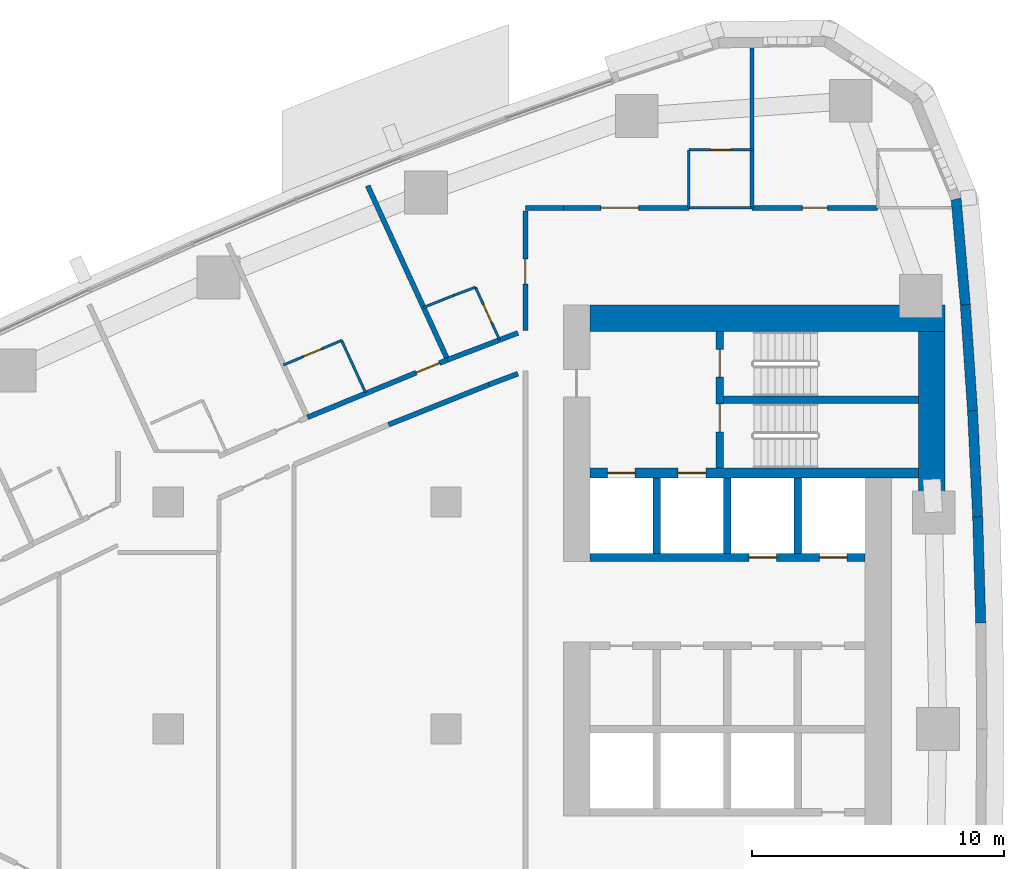
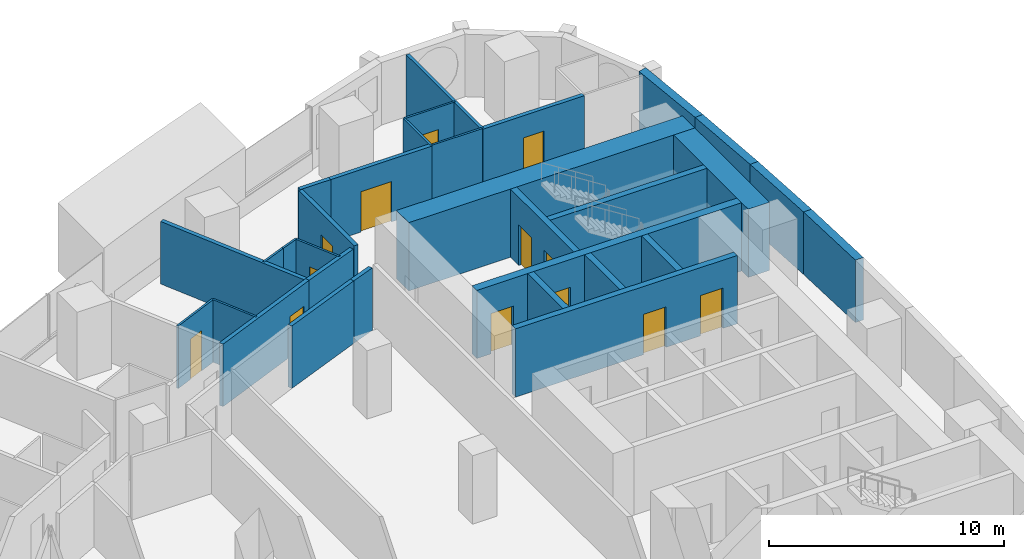
# One storey, part 12 of 17: 31 walls, 13 doors, 13 openings.
"""IFC4 building model written with IfcOpenShell, lengths in metres."""

from ifc_helpers import new_model, si_unit, direction, frame, frame_2d, origin, place, context, subcontext, project, spatial, polyline, rectangle, outline, extrude, material, layer, layer_set, type_object, element, fill, save


model = new_model("IFC4")

# Units and contexts
model_context = context("Model", 3, precision=1e-05, world=origin(), true_north=direction((0.0, 1.0)))
body_context = subcontext(model_context, "Body", "Model", "MODEL_VIEW")
ifc_project = project(units=[si_unit("LENGTHUNIT", "METRE"), si_unit("AREAUNIT", "SQUARE_METRE"), si_unit("VOLUMEUNIT", "CUBIC_METRE"), si_unit("PLANEANGLEUNIT", "RADIAN"), si_unit("MASSUNIT", "GRAM", prefix="KILO")], contexts=[model_context])

# Site, building, storey
site_placement = place(None, origin())
site = spatial("IfcSite", under=ifc_project, at=site_placement, CompositionType="ELEMENT")
building_placement = place(site_placement, origin())
building = spatial("IfcBuilding", under=site, at=building_placement, Name="Ostrand Prow Hotel Tower", CompositionType="ELEMENT")
storey_placement = place(building_placement, frame((0.0, 0.0, 102.64990234375)))
storey = spatial("IfcBuildingStorey", under=building, at=storey_placement, Name="L24", CompositionType="ELEMENT", Elevation=102.64990234375)

# Walls
ifc_material_1 = material(Name="Concrete C80/95", Category="concrete")
ifc_layer_1 = layer(ifc_material_1, 1.050048828125)
ifc_layer_set_1 = layer_set([ifc_layer_1], Name="Concrete C80/95")
wall_type_1 = type_object("IfcWallType", Name="Core wall 1050 C80/95", PredefinedType="SHEAR", material=ifc_layer_set_1)
wall_1_placement = place(storey_placement, frame((50.699951171875, 16.27490234375, 0.0), z_axis=(0.0, 0.0, 1.0), x_axis=(1.0, 0.0, 0.0)))
element("IfcWall", 1, at=wall_1_placement, inside=storey, type_object=wall_type_1, Name="Core wall CW-N", PredefinedType="SHEAR", context=body_context, shape_type="SweptSolid", body=[
    extrude(rectangle(XDim=14.070068359375, YDim=1.050048828125, at=frame_2d((7.03515625, 0.0))), origin(), (0.0, 0.0, 1.0), 3.550048828125),
])
wall_2_placement = place(storey_placement, frame((64.2451171875, 9.388671875, 0.0), z_axis=(0.0, 0.0, 1.0), x_axis=(0.0, 1.0, 0.0)))
element("IfcWall", 2, at=wall_2_placement, inside=storey, type_object=wall_type_1, Name="Core wall CW-E-N", PredefinedType="SHEAR", context=body_context, shape_type="SweptSolid", body=[
    extrude(rectangle(XDim=6.361328125, YDim=1.050048828125, at=frame_2d((3.1806640625, 0.0))), origin(), (0.0, 0.0, 1.0), 3.550048828125),
])

# Wall, openings, doors
ifc_material_2 = material(Name="Concrete C80/95", Category="concrete")
ifc_layer_2 = layer(ifc_material_2, 0.300048828125)
ifc_layer_set_2 = layer_set([ifc_layer_2], Name="Concrete C80/95")
wall_type_2 = type_object("IfcWallType", Name="Core wall 300 C80/95", PredefinedType="SHEAR", material=ifc_layer_set_2)
wall_3_placement = place(storey_placement, frame((50.699951171875, 6.800048828125, 0.0), z_axis=(0.0, 0.0, 1.0), x_axis=(1.0, 0.0, 0.0)))
wall_3 = element("IfcWall", 3, at=wall_3_placement, inside=storey, type_object=wall_type_2, Name="Core wall PW-L2-N", PredefinedType="SHEAR", context=body_context, shape_type="SweptSolid", body=[
    extrude(rectangle(XDim=10.900146484375, YDim=0.300048828125, at=frame_2d((5.4501953125, 0.0))), origin(), (0.0, 0.0, 1.0), 3.550048828125),
])
opening_1_placement = place(wall_3_placement, frame((6.300048828125, 0.0, 0.0)))
opening_1 = element("IfcOpeningElement", 4, at=opening_1_placement, cuts=wall_3, Name="Opening LD", PredefinedType="OPENING", context=body_context, shape_type="SweptSolid", body=[
    extrude(rectangle(XDim=1.10009765625, YDim=2.10009765625, at=frame_2d((0.550048828125, 1.050048828125))), frame((0.0, 0.159912109375, 0.0), z_axis=(0.0, -1.0, 0.0), x_axis=(1.0, 0.0, 0.0)), (0.0, 0.0, 1.0), 0.320068359375),
])
opening_2_placement = place(wall_3_placement, frame((9.10009765625, 0.0, 0.0)))
opening_2 = element("IfcOpeningElement", 5, at=opening_2_placement, cuts=wall_3, Name="Opening LD", PredefinedType="OPENING", context=body_context, shape_type="SweptSolid", body=[
    extrude(rectangle(XDim=1.10009765625, YDim=2.10009765625, at=frame_2d((0.550048828125, 1.050048828125))), frame((0.0, 0.159912109375, 0.0), z_axis=(0.0, -1.0, 0.0), x_axis=(1.0, 0.0, 0.0)), (0.0, 0.0, 1.0), 0.320068359375),
])
ifc_material_3 = material(Name="Stainless steel door", Category="steel")
door_type_1 = type_object("IfcDoorType", Name="Lift landing door 1100", OperationType="DOUBLE_DOOR_SLIDING", PredefinedType="DOOR", material=ifc_material_3)
door_1_placement = place(opening_1_placement, origin())
door_1 = element("IfcDoor", 6, at=door_1_placement, inside=storey, type_object=door_type_1, Name="LIFT LANDING DOOR", OperationType="DOUBLE_DOOR_SLIDING", OverallHeight=2.10009765625, OverallWidth=1.10009765625, PredefinedType="DOOR", context=body_context, shape_type="SweptSolid", body=[
    extrude(rectangle(XDim=1.10009765625, YDim=2.10009765625, at=frame_2d((0.550048828125, 1.050048828125))), frame((0.0, 0.02490234375, 0.0), z_axis=(0.0, -1.0, 0.0), x_axis=(1.0, 0.0, 0.0)), (0.0, 0.0, 1.0), 0.050048828125),
])
fill(opening_1, door_1)
door_2_placement = place(opening_2_placement, origin())
door_2 = element("IfcDoor", 7, at=door_2_placement, inside=storey, type_object=door_type_1, Name="LIFT LANDING DOOR", OperationType="DOUBLE_DOOR_SLIDING", OverallHeight=2.10009765625, OverallWidth=1.10009765625, PredefinedType="DOOR", context=body_context, shape_type="SweptSolid", body=[
    extrude(rectangle(XDim=1.10009765625, YDim=2.10009765625, at=frame_2d((0.550048828125, 1.050048828125))), frame((0.0, 0.02490234375, 0.0), z_axis=(0.0, -1.0, 0.0), x_axis=(1.0, 0.0, 0.0)), (0.0, 0.0, 1.0), 0.050048828125),
])
fill(opening_2, door_2)

# Walls
for number, where, z_axis, x_axis, name in (
    (8, (53.35009765625, 6.949951171875, 0.0), (0.0, 0.0, 1.0), (0.0, 1.0, 0.0), "Core wall PW-R1-NA"),
    (9, (56.14990234375, 6.949951171875, 0.0), (0.0, 0.0, 1.0), (0.0, 1.0, 0.0), "Core wall PW-R2-NA"),
    (10, (58.949951171875, 6.949951171875, 0.0), (0.0, 0.0, 1.0), (0.0, 1.0, 0.0), "Core wall PW-R3-NA"),
):
    element("IfcWall", number, at=place(storey_placement, frame(where, z_axis=z_axis, x_axis=x_axis)), inside=storey, type_object=wall_type_2, Name=name, PredefinedType="SHEAR", context=body_context, shape_type="SweptSolid", body=[
        extrude(rectangle(XDim=3.0, YDim=0.300048828125, at=frame_2d((1.5, 0.0))), origin(), (0.0, 0.0, 1.0), 3.550048828125),
    ])

# Wall, openings, doors
wall_4_placement = place(storey_placement, frame((55.85009765625, 10.35009765625, 0.0), z_axis=(0.0, 0.0, 1.0), x_axis=(0.0, 1.0, 0.0)))
wall_4 = element("IfcWall", 11, at=wall_4_placement, inside=storey, type_object=wall_type_2, Name="Core wall PW-VN", PredefinedType="SHEAR", context=body_context, shape_type="SweptSolid", body=[
    extrude(rectangle(XDim=5.39990234375, YDim=0.300048828125, at=frame_2d((2.699951171875, 0.0))), origin(), (0.0, 0.0, 1.0), 3.550048828125),
])
opening_3_placement = place(wall_4_placement, frame((1.429931640625, 0.0, 0.0)))
opening_3 = element("IfcOpeningElement", 12, at=opening_3_placement, cuts=wall_4, Name="Opening FD1", PredefinedType="OPENING", context=body_context, shape_type="SweptSolid", body=[
    extrude(rectangle(XDim=1.10009765625, YDim=2.10009765625, at=frame_2d((0.550048828125, 1.050048828125))), frame((0.0, 0.159912109375, 0.0), z_axis=(0.0, -1.0, 0.0), x_axis=(1.0, 0.0, 0.0)), (0.0, 0.0, 1.0), 0.320068359375),
])
opening_4_placement = place(wall_4_placement, frame((3.60009765625, 0.0, 0.0)))
opening_4 = element("IfcOpeningElement", 13, at=opening_4_placement, cuts=wall_4, Name="Opening FD1", PredefinedType="OPENING", context=body_context, shape_type="SweptSolid", body=[
    extrude(rectangle(XDim=1.10009765625, YDim=2.10009765625, at=frame_2d((0.550048828125, 1.050048828125))), frame((0.0, 0.159912109375, 0.0), z_axis=(0.0, -1.0, 0.0), x_axis=(1.0, 0.0, 0.0)), (0.0, 0.0, 1.0), 0.320068359375),
])
ifc_material_4 = material(Name="Steel fire door", Category="steel")
door_type_2 = type_object("IfcDoorType", Name="Fire door 1100 EI120", OperationType="SINGLE_SWING_RIGHT", PredefinedType="DOOR", material=ifc_material_4)
door_3_placement = place(opening_3_placement, origin())
door_3 = element("IfcDoor", 14, at=door_3_placement, inside=storey, type_object=door_type_2, Name="FIRE DOOR", OperationType="SINGLE_SWING_RIGHT", OverallHeight=2.10009765625, OverallWidth=1.10009765625, PredefinedType="DOOR", context=body_context, shape_type="SweptSolid", body=[
    extrude(rectangle(XDim=1.10009765625, YDim=2.10009765625, at=frame_2d((0.550048828125, 1.050048828125))), frame((0.0, 0.02490234375, 0.0), z_axis=(0.0, -1.0, 0.0), x_axis=(1.0, 0.0, 0.0)), (0.0, 0.0, 1.0), 0.050048828125),
])
fill(opening_3, door_3)
door_4_placement = place(opening_4_placement, origin())
door_4 = element("IfcDoor", 15, at=door_4_placement, inside=storey, type_object=door_type_2, Name="FIRE DOOR", OperationType="SINGLE_SWING_RIGHT", OverallHeight=2.10009765625, OverallWidth=1.10009765625, PredefinedType="DOOR", context=body_context, shape_type="SweptSolid", body=[
    extrude(rectangle(XDim=1.10009765625, YDim=2.10009765625, at=frame_2d((0.550048828125, 1.050048828125))), frame((0.0, 0.02490234375, 0.0), z_axis=(0.0, -1.0, 0.0), x_axis=(1.0, 0.0, 0.0)), (0.0, 0.0, 1.0), 0.050048828125),
])
fill(opening_4, door_4)

# Wall
wall_5_placement = place(storey_placement, frame((56.0, 13.050048828125, 0.0), z_axis=(0.0, 0.0, 1.0), x_axis=(1.0, 0.0, 0.0)))
element("IfcWall", 16, at=wall_5_placement, inside=storey, type_object=wall_type_2, Name="Core wall PW-ST13", PredefinedType="SHEAR", context=body_context, shape_type="SweptSolid", body=[
    extrude(rectangle(XDim=7.719970703125, YDim=0.300048828125, at=frame_2d((3.85986328125, 0.0))), origin(), (0.0, 0.0, 1.0), 3.550048828125),
])

# Wall, openings, doors
ifc_material_5 = material(Name="Concrete C80/95", Category="concrete")
ifc_layer_3 = layer(ifc_material_5, 0.39990234375)
ifc_layer_set_3 = layer_set([ifc_layer_3], Name="Concrete C80/95")
wall_type_3 = type_object("IfcWallType", Name="Core wall 400 C80/95", PredefinedType="SHEAR", material=ifc_layer_set_3)
wall_6_placement = place(storey_placement, frame((50.699951171875, 10.14990234375, 0.0), z_axis=(0.0, 0.0, 1.0), x_axis=(1.0, 0.0, 0.0)))
wall_6 = element("IfcWall", 17, at=wall_6_placement, inside=storey, type_object=wall_type_3, Name="Core wall PW-BN", PredefinedType="SHEAR", context=body_context, shape_type="SweptSolid", body=[
    extrude(rectangle(XDim=13.02001953125, YDim=0.39990234375, at=frame_2d((6.510009765625, 0.0))), origin(), (0.0, 0.0, 1.0), 3.550048828125),
])
opening_5_placement = place(wall_6_placement, frame((0.699951171875, 0.0, 0.0)))
opening_5 = element("IfcOpeningElement", 18, at=opening_5_placement, cuts=wall_6, Name="Opening LD", PredefinedType="OPENING", context=body_context, shape_type="SweptSolid", body=[
    extrude(rectangle(XDim=1.10009765625, YDim=2.10009765625, at=frame_2d((0.550048828125, 1.050048828125))), frame((0.0, 0.2099609375, 0.0), z_axis=(0.0, -1.0, 0.0), x_axis=(1.0, 0.0, 0.0)), (0.0, 0.0, 1.0), 0.419921875),
])
opening_6_placement = place(wall_6_placement, frame((3.5, 0.0, 0.0)))
opening_6 = element("IfcOpeningElement", 19, at=opening_6_placement, cuts=wall_6, Name="Opening LD", PredefinedType="OPENING", context=body_context, shape_type="SweptSolid", body=[
    extrude(rectangle(XDim=1.10009765625, YDim=2.10009765625, at=frame_2d((0.550048828125, 1.050048828125))), frame((0.0, 0.2099609375, 0.0), z_axis=(0.0, -1.0, 0.0), x_axis=(1.0, 0.0, 0.0)), (0.0, 0.0, 1.0), 0.419921875),
])
door_5_placement = place(opening_5_placement, origin())
door_5 = element("IfcDoor", 20, at=door_5_placement, inside=storey, type_object=door_type_1, Name="LIFT LANDING DOOR", OperationType="DOUBLE_DOOR_SLIDING", OverallHeight=2.10009765625, OverallWidth=1.10009765625, PredefinedType="DOOR", context=body_context, shape_type="SweptSolid", body=[
    extrude(rectangle(XDim=1.10009765625, YDim=2.10009765625, at=frame_2d((0.550048828125, 1.050048828125))), frame((0.0, 0.02490234375, 0.0), z_axis=(0.0, -1.0, 0.0), x_axis=(1.0, 0.0, 0.0)), (0.0, 0.0, 1.0), 0.050048828125),
])
fill(opening_5, door_5)
door_6_placement = place(opening_6_placement, origin())
door_6 = element("IfcDoor", 21, at=door_6_placement, inside=storey, type_object=door_type_1, Name="LIFT LANDING DOOR", OperationType="DOUBLE_DOOR_SLIDING", OverallHeight=2.10009765625, OverallWidth=1.10009765625, PredefinedType="DOOR", context=body_context, shape_type="SweptSolid", body=[
    extrude(rectangle(XDim=1.10009765625, YDim=2.10009765625, at=frame_2d((0.550048828125, 1.050048828125))), frame((0.0, 0.02490234375, 0.0), z_axis=(0.0, -1.0, 0.0), x_axis=(1.0, 0.0, 0.0)), (0.0, 0.0, 1.0), 0.050048828125),
])
fill(opening_6, door_6)

# Wall
ifc_material_6 = material(Name="Plasterboard partition")
ifc_layer_4 = layer(ifc_material_6, 0.10009765625)
ifc_layer_set_4 = layer_set([ifc_layer_4], Name="Plasterboard partition")
wall_type_4 = type_object("IfcWallType", Name="Partition 100 bathroom wall", PredefinedType="PARTITIONING", material=ifc_layer_set_4)
wall_7_placement = place(storey_placement, frame((54.630615234375, 20.64990234375, 0.0), z_axis=(0.0, 0.0, 1.0), x_axis=(0.0, 1.0, 0.0)))
element("IfcWall", 22, at=wall_7_placement, inside=storey, type_object=wall_type_4, Name="BATHROOM WALL", PredefinedType="PARTITIONING", context=body_context, shape_type="SweptSolid", body=[
    extrude(rectangle(XDim=2.300048828125, YDim=0.10009765625, at=frame_2d((1.14990234375, 0.0))), origin(), (0.0, 0.0, 1.0), 3.25),
])

# Wall, opening, door
wall_8_placement = place(storey_placement, frame((54.630615234375, 22.949951171875, 0.0), z_axis=(0.0, 0.0, 1.0), x_axis=(1.0, 0.0, 0.0)))
wall_8 = element("IfcWall", 23, at=wall_8_placement, inside=storey, type_object=wall_type_4, Name="BATHROOM WALL", PredefinedType="PARTITIONING", context=body_context, shape_type="SweptSolid", body=[
    extrude(rectangle(XDim=2.5, YDim=0.10009765625, at=frame_2d((1.25, 0.0))), origin(), (0.0, 0.0, 1.0), 3.25),
])
opening_7_placement = place(wall_8_placement, frame((0.85009765625, 0.0, 0.0)))
opening_7 = element("IfcOpeningElement", 24, at=opening_7_placement, cuts=wall_8, Name="Opening D2", PredefinedType="OPENING", context=body_context, shape_type="SweptSolid", body=[
    extrude(rectangle(XDim=0.800048828125, YDim=2.10009765625, at=frame_2d((0.39990234375, 1.050048828125))), frame((0.0, 0.06005859375, 0.0), z_axis=(0.0, -1.0, 0.0), x_axis=(1.0, 0.0, 0.0)), (0.0, 0.0, 1.0), 0.1201171875),
])
ifc_material_7 = material(Name="Timber door leaf", Category="wood")
door_type_3 = type_object("IfcDoorType", Name="Bathroom door 800", OperationType="SINGLE_SWING_LEFT", PredefinedType="DOOR", material=ifc_material_7)
door_7_placement = place(opening_7_placement, origin())
door_7 = element("IfcDoor", 25, at=door_7_placement, inside=storey, type_object=door_type_3, Name="DOOR", OperationType="SINGLE_SWING_LEFT", OverallHeight=2.10009765625, OverallWidth=0.800048828125, PredefinedType="DOOR", context=body_context, shape_type="SweptSolid", body=[
    extrude(rectangle(XDim=0.800048828125, YDim=2.10009765625, at=frame_2d((0.39990234375, 1.050048828125))), frame((0.0, 0.02490234375, 0.0), z_axis=(0.0, -1.0, 0.0), x_axis=(1.0, 0.0, 0.0)), (0.0, 0.0, 1.0), 0.050048828125),
])
fill(opening_7, door_7)

wall_9_placement = place(storey_placement, frame((38.5615234375, 14.425537109375, 0.0), z_axis=(0.0, 0.0, 1.0), x_axis=(0.921042675983, 0.38946166566, 0.0)))
wall_9 = element("IfcWall", 26, at=wall_9_placement, inside=storey, type_object=wall_type_4, Name="BATHROOM WALL", PredefinedType="PARTITIONING", context=body_context, shape_type="SweptSolid", body=[
    extrude(rectangle(XDim=2.501220703125, YDim=0.10009765625, at=frame_2d((1.25048828125, 0.0))), origin(), (0.0, 0.0, 1.0), 3.25),
])
opening_8_placement = place(wall_9_placement, frame((0.85009765625, 0.0, 0.0)))
opening_8 = element("IfcOpeningElement", 27, at=opening_8_placement, cuts=wall_9, Name="Opening D2", PredefinedType="OPENING", context=body_context, shape_type="SweptSolid", body=[
    extrude(rectangle(XDim=0.800048828125, YDim=2.10009765625, at=frame_2d((0.39990234375, 1.050048828125))), frame((0.0, 0.06005859375, 0.0), z_axis=(0.0, -1.0, 0.0), x_axis=(1.0, 0.0, 0.0)), (0.0, 0.0, 1.0), 0.1201171875),
])
door_8_placement = place(opening_8_placement, origin())
door_8 = element("IfcDoor", 28, at=door_8_placement, inside=storey, type_object=door_type_3, Name="DOOR", OperationType="SINGLE_SWING_LEFT", OverallHeight=2.10009765625, OverallWidth=0.800048828125, PredefinedType="DOOR", context=body_context, shape_type="SweptSolid", body=[
    extrude(rectangle(XDim=0.800048828125, YDim=2.10009765625, at=frame_2d((0.39990234375, 1.050048828125))), frame((0.0, 0.02490234375, 0.0), z_axis=(0.0, -1.0, 0.0), x_axis=(1.0, 0.0, 0.0)), (0.0, 0.0, 1.0), 0.050048828125),
])
fill(opening_8, door_8)

# Walls
wall_10_placement = place(storey_placement, frame((40.865234375, 15.399658203125, 0.0), z_axis=(0.0, 0.0, 1.0), x_axis=(0.417433204355, -0.908707609686, 0.0)))
element("IfcWall", 29, at=wall_10_placement, inside=storey, type_object=wall_type_4, Name="BATHROOM WALL", PredefinedType="PARTITIONING", context=body_context, shape_type="SweptSolid", body=[
    extrude(rectangle(XDim=2.278076171875, YDim=0.10009765625, at=frame_2d((1.13916015625, 0.0))), origin(), (0.0, 0.0, 1.0), 3.25),
])
wall_11_placement = place(storey_placement, frame((44.115966796875, 16.7080078125, 0.0), z_axis=(0.0, 0.0, 1.0), x_axis=(0.928593389657, 0.371098796393, 0.0)))
element("IfcWall", 30, at=wall_11_placement, inside=storey, type_object=wall_type_4, Name="BATHROOM WALL", PredefinedType="PARTITIONING", context=body_context, shape_type="SweptSolid", body=[
    extrude(rectangle(XDim=1.298095703125, YDim=0.10009765625, at=frame_2d((0.64892578125, 0.0))), origin(), (0.0, 0.0, 1.0), 3.25),
])
wall_12_placement = place(storey_placement, frame((45.3212890625, 17.189697265625, 0.0), z_axis=(0.0, 0.0, 1.0), x_axis=(0.935885332459, 0.352304760808, 0.0)))
element("IfcWall", 31, at=wall_12_placement, inside=storey, type_object=wall_type_4, Name="BATHROOM WALL", PredefinedType="PARTITIONING", context=body_context, shape_type="SweptSolid", body=[
    extrude(rectangle(XDim=0.90576171875, YDim=0.10009765625, at=frame_2d((0.452880859375, 0.0))), origin(), (0.0, 0.0, 1.0), 3.25),
])

# Wall, opening, door
wall_13_placement = place(storey_placement, frame((46.169189453125, 17.5087890625, 0.0), z_axis=(0.0, 0.0, 1.0), x_axis=(0.417409478396, -0.90871850831, 0.0)))
wall_13 = element("IfcWall", 32, at=wall_13_placement, inside=storey, type_object=wall_type_4, Name="BATHROOM WALL", PredefinedType="PARTITIONING", context=body_context, shape_type="SweptSolid", body=[
    extrude(rectangle(XDim=2.282958984375, YDim=0.10009765625, at=frame_2d((1.1416015625, 0.0))), origin(), (0.0, 0.0, 1.0), 3.25),
])
opening_9_placement = place(wall_13_placement, frame((0.75, 0.0, 0.0)))
opening_9 = element("IfcOpeningElement", 33, at=opening_9_placement, cuts=wall_13, Name="Opening D2", PredefinedType="OPENING", context=body_context, shape_type="SweptSolid", body=[
    extrude(rectangle(XDim=0.800048828125, YDim=2.10009765625, at=frame_2d((0.39990234375, 1.050048828125))), frame((0.0, 0.06005859375, 0.0), z_axis=(0.0, -1.0, 0.0), x_axis=(1.0, 0.0, 0.0)), (0.0, 0.0, 1.0), 0.1201171875),
])
door_9_placement = place(opening_9_placement, origin())
door_9 = element("IfcDoor", 34, at=door_9_placement, inside=storey, type_object=door_type_3, Name="DOOR", OperationType="SINGLE_SWING_LEFT", OverallHeight=2.10009765625, OverallWidth=0.800048828125, PredefinedType="DOOR", context=body_context, shape_type="SweptSolid", body=[
    extrude(rectangle(XDim=0.800048828125, YDim=2.10009765625, at=frame_2d((0.39990234375, 1.050048828125))), frame((0.0, 0.02490234375, 0.0), z_axis=(0.0, -1.0, 0.0), x_axis=(1.0, 0.0, 0.0)), (0.0, 0.0, 1.0), 0.050048828125),
])
fill(opening_9, door_9)

# Walls
wall_14_placement = place(storey_placement, frame((57.130615234375, 20.655029296875, 0.0), z_axis=(0.0, 0.0, 1.0), x_axis=(-1.0, 0.0, 0.0)))
element("IfcWall", 35, at=wall_14_placement, inside=storey, type_object=wall_type_4, Name="BATHROOM WALL", PredefinedType="PARTITIONING", context=body_context, shape_type="SweptSolid", body=[
    extrude(rectangle(XDim=2.5, YDim=0.10009765625, at=frame_2d((1.25, 0.0))), origin(), (0.0, 0.0, 1.0), 3.25),
])
ifc_material_8 = material(Name="Plasterboard partition")
ifc_layer_5 = layer(ifc_material_8, 0.14990234375)
ifc_layer_set_5 = layer_set([ifc_layer_5], Name="Plasterboard partition")
wall_type_5 = type_object("IfcWallType", Name="Partition 150 room partition", PredefinedType="PARTITIONING", material=ifc_layer_set_5)
wall_15_placement = place(storey_placement, frame((57.130615234375, 20.64990234375, 0.0), z_axis=(0.0, 0.0, 1.0), x_axis=(0.0, 1.0, 0.0)))
element("IfcWall", 36, at=wall_15_placement, inside=storey, type_object=wall_type_5, Name="ROOM PARTITION", PredefinedType="PARTITIONING", context=body_context, shape_type="SweptSolid", body=[
    extrude(rectangle(XDim=6.3291015625, YDim=0.14990234375, at=frame_2d((3.16455078125, 0.0))), origin(), (0.0, 0.0, 1.0), 3.25),
])

# Wall, opening, door
ifc_material_9 = material(Name="Plasterboard partition")
ifc_layer_6 = layer(ifc_material_9, 0.199951171875)
ifc_layer_set_6 = layer_set([ifc_layer_6], Name="Plasterboard partition")
wall_type_6 = type_object("IfcWallType", Name="Partition 200 corridor wall", PredefinedType="PARTITIONING", material=ifc_layer_set_6)
wall_16_placement = place(storey_placement, frame((45.06884765625, 14.633544921875, 0.0), z_axis=(0.0, 0.0, 1.0), x_axis=(-0.925062421694, -0.379815107611, 0.0)))
wall_16 = element("IfcWall", 37, at=wall_16_placement, inside=storey, type_object=wall_type_6, Name="CORRIDOR WALL", PredefinedType="PARTITIONING", context=body_context, shape_type="SweptSolid", body=[
    extrude(rectangle(XDim=6.0048828125, YDim=0.199951171875, at=frame_2d((3.00244140625, 0.0))), origin(), (0.0, 0.0, 1.0), 3.25),
])
opening_10_placement = place(wall_16_placement, frame((0.35009765625, 0.0, 0.0)))
opening_10 = element("IfcOpeningElement", 38, at=opening_10_placement, cuts=wall_16, Name="Opening D1R", PredefinedType="OPENING", context=body_context, shape_type="SweptSolid", body=[
    extrude(rectangle(XDim=1.0, YDim=2.10009765625, at=frame_2d((0.5, 1.050048828125))), frame((0.0, 0.10986328125, 0.0), z_axis=(0.0, -1.0, 0.0), x_axis=(1.0, 0.0, 0.0)), (0.0, 0.0, 1.0), 0.219970703125),
])
ifc_material_10 = material(Name="Timber door leaf", Category="wood")
door_type_4 = type_object("IfcDoorType", Name="Guest room door 1000 right", OperationType="SINGLE_SWING_RIGHT", PredefinedType="DOOR", material=ifc_material_10)
door_10_placement = place(opening_10_placement, origin())
door_10 = element("IfcDoor", 39, at=door_10_placement, inside=storey, type_object=door_type_4, Name="DOOR", OperationType="SINGLE_SWING_RIGHT", OverallHeight=2.10009765625, OverallWidth=1.0, PredefinedType="DOOR", context=body_context, shape_type="SweptSolid", body=[
    extrude(rectangle(XDim=1.0, YDim=2.10009765625, at=frame_2d((0.5, 1.050048828125))), frame((0.0, 0.02490234375, 0.0), z_axis=(0.0, -1.0, 0.0), x_axis=(1.0, 0.0, 0.0)), (0.0, 0.0, 1.0), 0.050048828125),
])
fill(opening_10, door_10)

# Wall
wall_17_placement = place(storey_placement, frame((42.727783203125, 12.0615234375, 0.0), z_axis=(0.0, 0.0, 1.0), x_axis=(0.928638161177, 0.370986745864, 0.0)))
element("IfcWall", 40, at=wall_17_placement, inside=storey, type_object=wall_type_6, Name="CORRIDOR WALL", PredefinedType="PARTITIONING", context=body_context, shape_type="SweptSolid", body=[
    extrude(rectangle(XDim=4.27294921875, YDim=0.199951171875, at=frame_2d((2.136474609375, 0.0))), origin(), (0.0, 0.0, 1.0), 3.25),
])

# Wall, opening, door
wall_18_placement = place(storey_placement, frame((54.62548828125, 20.655029296875, 0.0), z_axis=(0.0, 0.0, 1.0), x_axis=(-1.0, 0.0, 0.0)))
wall_18 = element("IfcWall", 41, at=wall_18_placement, inside=storey, type_object=wall_type_6, Name="CORRIDOR WALL", PredefinedType="PARTITIONING", context=body_context, shape_type="SweptSolid", body=[
    extrude(rectangle(XDim=4.9755859375, YDim=0.199951171875, at=frame_2d((2.48779296875, 0.0))), origin(), (0.0, 0.0, 1.0), 3.25),
])
opening_11_placement = place(wall_18_placement, frame((1.98779296875, 0.0, 0.0)))
opening_11 = element("IfcOpeningElement", 42, at=opening_11_placement, cuts=wall_18, Name="Opening D15", PredefinedType="OPENING", context=body_context, shape_type="SweptSolid", body=[
    extrude(rectangle(XDim=1.5, YDim=2.10009765625, at=frame_2d((0.75, 1.050048828125))), frame((0.0, 0.10986328125, 0.0), z_axis=(0.0, -1.0, 0.0), x_axis=(1.0, 0.0, 0.0)), (0.0, 0.0, 1.0), 0.219970703125),
])
ifc_material_11 = material(Name="Timber door leaf", Category="wood")
door_type_5 = type_object("IfcDoorType", Name="Double door 1500", OperationType="DOUBLE_DOOR_SINGLE_SWING", PredefinedType="DOOR", material=ifc_material_11)
door_11_placement = place(opening_11_placement, origin())
door_11 = element("IfcDoor", 43, at=door_11_placement, inside=storey, type_object=door_type_5, Name="DOOR", OperationType="DOUBLE_DOOR_SINGLE_SWING", OverallHeight=2.10009765625, OverallWidth=1.5, PredefinedType="DOOR", context=body_context, shape_type="SweptSolid", body=[
    extrude(rectangle(XDim=1.5, YDim=2.10009765625, at=frame_2d((0.75, 1.050048828125))), frame((0.0, 0.02490234375, 0.0), z_axis=(0.0, -1.0, 0.0), x_axis=(1.0, 0.0, 0.0)), (0.0, 0.0, 1.0), 0.050048828125),
])
fill(opening_11, door_11)

wall_19_placement = place(storey_placement, frame((62.106201171875, 20.655029296875, 0.0), z_axis=(0.0, 0.0, 1.0), x_axis=(-1.0, 0.0, 0.0)))
wall_19 = element("IfcWall", 44, at=wall_19_placement, inside=storey, type_object=wall_type_6, Name="CORRIDOR WALL", PredefinedType="PARTITIONING", context=body_context, shape_type="SweptSolid", body=[
    extrude(rectangle(XDim=4.970703125, YDim=0.199951171875, at=frame_2d((2.4853515625, 0.0))), origin(), (0.0, 0.0, 1.0), 3.25),
])
opening_12_placement = place(wall_19_placement, frame((1.9853515625, 0.0, 0.0)))
opening_12 = element("IfcOpeningElement", 45, at=opening_12_placement, cuts=wall_19, Name="Opening D1R", PredefinedType="OPENING", context=body_context, shape_type="SweptSolid", body=[
    extrude(rectangle(XDim=1.0, YDim=2.10009765625, at=frame_2d((0.5, 1.050048828125))), frame((0.0, 0.10986328125, 0.0), z_axis=(0.0, -1.0, 0.0), x_axis=(1.0, 0.0, 0.0)), (0.0, 0.0, 1.0), 0.219970703125),
])
door_12_placement = place(opening_12_placement, origin())
door_12 = element("IfcDoor", 46, at=door_12_placement, inside=storey, type_object=door_type_4, Name="DOOR", OperationType="SINGLE_SWING_RIGHT", OverallHeight=2.10009765625, OverallWidth=1.0, PredefinedType="DOOR", context=body_context, shape_type="SweptSolid", body=[
    extrude(rectangle(XDim=1.0, YDim=2.10009765625, at=frame_2d((0.5, 1.050048828125))), frame((0.0, 0.02490234375, 0.0), z_axis=(0.0, -1.0, 0.0), x_axis=(1.0, 0.0, 0.0)), (0.0, 0.0, 1.0), 0.050048828125),
])
fill(opening_12, door_12)

# Walls
wall_20_placement = place(storey_placement, frame((47.85498046875, 15.697509765625, 0.0), z_axis=(0.0, 0.0, 1.0), x_axis=(-0.934199537442, -0.35675092746, 0.0)))
element("IfcWall", 47, at=wall_20_placement, inside=storey, type_object=wall_type_6, Name="CORRIDOR WALL", PredefinedType="PARTITIONING", context=body_context, shape_type="SweptSolid", body=[
    extrude(rectangle(XDim=2.982421875, YDim=0.199951171875, at=frame_2d((1.4912109375, 0.0))), origin(), (0.0, 0.0, 1.0), 3.25),
])
wall_21_placement = place(storey_placement, frame((46.69580078125, 13.646728515625, 0.0), z_axis=(0.0, 0.0, 1.0), x_axis=(0.935907269358, 0.352246480696, 0.0)))
element("IfcWall", 48, at=wall_21_placement, inside=storey, type_object=wall_type_6, Name="CORRIDOR WALL", PredefinedType="PARTITIONING", context=body_context, shape_type="SweptSolid", body=[
    extrude(rectangle(XDim=1.238525390625, YDim=0.199951171875, at=frame_2d((0.619140625, 0.0))), origin(), (0.0, 0.0, 1.0), 3.25),
])
wall_22_placement = place(storey_placement, frame((49.64990234375, 20.655029296875, 0.0), z_axis=(0.0, 0.0, 1.0), x_axis=(-0.999998406651, -0.001785131852, 0.0)))
element("IfcWall", 49, at=wall_22_placement, inside=storey, type_object=wall_type_6, Name="CORRIDOR WALL", PredefinedType="PARTITIONING", context=body_context, shape_type="SweptSolid", body=[
    extrude(rectangle(XDim=1.50439453125, YDim=0.199951171875, at=frame_2d((0.752197265625, 0.0))), origin(), (0.0, 0.0, 1.0), 3.25),
])

# Wall, opening, door
wall_23_placement = place(storey_placement, frame((48.1455078125, 20.532470703125, 0.0), z_axis=(0.0, 0.0, 1.0), x_axis=(-5.1594263e-05, -0.999999998669, 0.0)))
wall_23 = element("IfcWall", 50, at=wall_23_placement, inside=storey, type_object=wall_type_6, Name="CORRIDOR WALL", PredefinedType="PARTITIONING", context=body_context, shape_type="SweptSolid", body=[
    extrude(rectangle(XDim=4.73193359375, YDim=0.199951171875, at=frame_2d((2.365966796875, 0.0))), origin(), (0.0, 0.0, 1.0), 3.25),
])
opening_13_placement = place(wall_23_placement, frame((1.89990234375, 0.0, 0.0)))
opening_13 = element("IfcOpeningElement", 51, at=opening_13_placement, cuts=wall_23, Name="Opening D1R", PredefinedType="OPENING", context=body_context, shape_type="SweptSolid", body=[
    extrude(rectangle(XDim=1.0, YDim=2.10009765625, at=frame_2d((0.5, 1.050048828125))), frame((0.0, 0.10986328125, 0.0), z_axis=(0.0, -1.0, 0.0), x_axis=(1.0, 0.0, 0.0)), (0.0, 0.0, 1.0), 0.219970703125),
])
door_13_placement = place(opening_13_placement, origin())
door_13 = element("IfcDoor", 52, at=door_13_placement, inside=storey, type_object=door_type_4, Name="DOOR", OperationType="SINGLE_SWING_RIGHT", OverallHeight=2.10009765625, OverallWidth=1.0, PredefinedType="DOOR", context=body_context, shape_type="SweptSolid", body=[
    extrude(rectangle(XDim=1.0, YDim=2.10009765625, at=frame_2d((0.5, 1.050048828125))), frame((0.0, 0.02490234375, 0.0), z_axis=(0.0, -1.0, 0.0), x_axis=(1.0, 0.0, 0.0)), (0.0, 0.0, 1.0), 0.050048828125),
])
fill(opening_13, door_13)

# Walls
ifc_material_12 = material(Name="Plasterboard partition")
ifc_layer_7 = layer(ifc_material_12, 0.199951171875)
ifc_layer_set_7 = layer_set([ifc_layer_7], Name="Plasterboard partition")
wall_type_7 = type_object("IfcWallType", Name="Partition 200 key partition", PredefinedType="PARTITIONING", material=ifc_layer_set_7)
wall_24_placement = place(storey_placement, frame((45.0771484375, 14.615234375, 0.0), z_axis=(0.0, 0.0, 1.0), x_axis=(-0.417427858403, 0.908710065438, 0.0)))
element("IfcWall", 53, at=wall_24_placement, inside=storey, type_object=wall_type_7, Name="KEY PARTITION", PredefinedType="PARTITIONING", context=body_context, shape_type="SweptSolid", body=[
    extrude(rectangle(XDim=7.609619140625, YDim=0.199951171875, at=frame_2d((3.8046875, 0.0))), origin(), (0.0, 0.0, 1.0), 3.25),
])
ifc_material_13 = material(Name="Precast concrete C40/50", Category="concrete")
ifc_layer_8 = layer(ifc_material_13, 0.39990234375)
ifc_layer_set_8 = layer_set([ifc_layer_8], Name="Precast concrete C40/50")
wall_type_8 = type_object("IfcWallType", Name="Stone-faced precast wall 400 mm", PredefinedType="NOTDEFINED", material=ifc_layer_set_8)
for number, where, z_axis, x_axis, name in (
    (54, (66.193603515625, 4.20654296875, 0.0), (0.0, 0.0, 1.0), (-0.02901703777, 0.999578917104, 0.0), "Stone-faced wall back 11"),
    (55, (66.071533203125, 8.41162109375, 0.0), (0.0, 0.0, 1.0), (-0.048342691508, 0.998830808585, 0.0), "Stone-faced wall back 12"),
):
    element("IfcWall", number, at=place(storey_placement, frame(where, z_axis=z_axis, x_axis=x_axis)), inside=storey, type_object=wall_type_8, Name=name, PredefinedType="NOTDEFINED", context=body_context, shape_type="SweptSolid", body=[
        extrude(outline(polyline([(-0.001953125, -0.199951171875), (4.208740234375, -0.199951171875), (4.204833984375, 0.199951171875), (0.001953125, 0.199951171875), (-0.001953125, -0.199951171875)])), origin(), (0.0, 0.0, 1.0), 3.25),
    ])
wall_25_placement = place(storey_placement, frame((65.8681640625, 12.613525390625, 0.0), z_axis=(0.0, 0.0, 1.0), x_axis=(-0.067724559895, 0.997704056315, 0.0)))
element("IfcWall", 56, at=wall_25_placement, inside=storey, type_object=wall_type_8, Name="Stone-faced wall back 13", PredefinedType="NOTDEFINED", context=body_context, shape_type="SweptSolid", body=[
    extrude(outline(polyline([(-0.001953125, -0.199951171875), (4.208984375, -0.199951171875), (4.205078125, 0.199951171875), (0.001953125, 0.199951171875), (-0.001953125, -0.199951171875)])), origin(), (0.0, 0.0, 1.0), 3.25),
])
wall_26_placement = place(storey_placement, frame((65.583251953125, 16.810791015625, 0.0), z_axis=(0.0, 0.0, 1.0), x_axis=(-0.086992730434, 0.996208946382, 0.0)))
element("IfcWall", 57, at=wall_26_placement, inside=storey, type_object=wall_type_8, Name="Stone-faced wall back 14", PredefinedType="NOTDEFINED", context=body_context, shape_type="SweptSolid", body=[
    extrude(outline(polyline([(-0.001953125, -0.199951171875), (4.23779296875, -0.199951171875), (4.17578125, 0.199951171875), (0.001953125, 0.199951171875), (-0.001953125, -0.199951171875)])), origin(), (0.0, 0.0, 1.0), 3.25),
])

save(model, "model.ifc")
